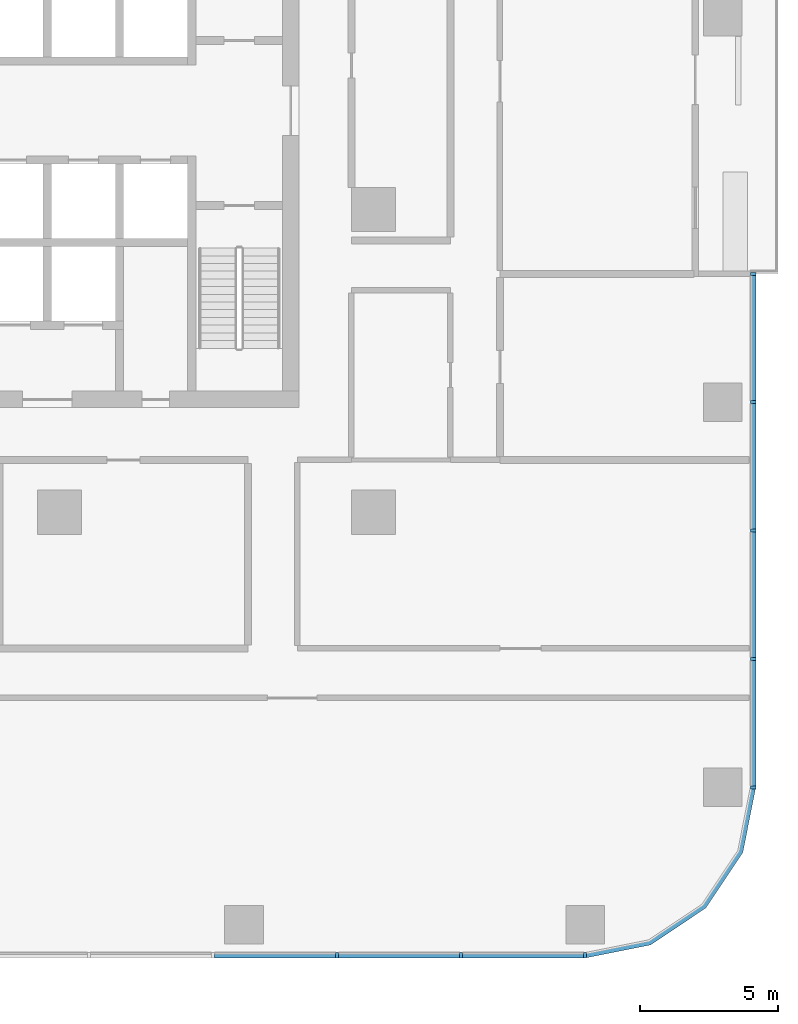
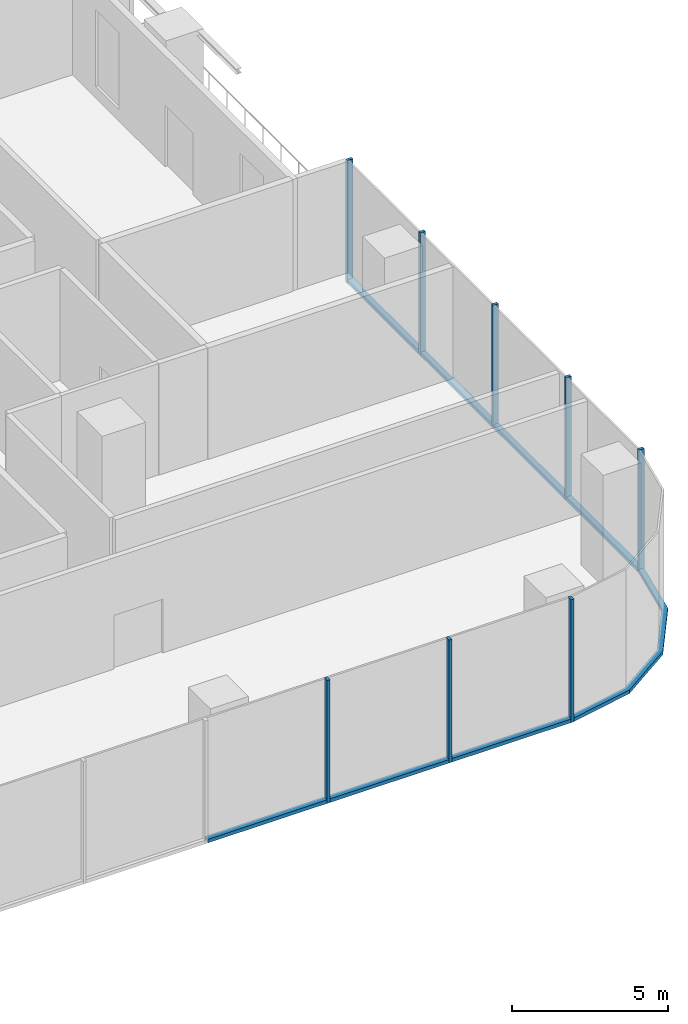
# One storey, part 3 of 15: 16 members, 3 elements without a shape of their own.
"""IFC4 building model written with IfcOpenShell, lengths in metres."""

from ifc_helpers import new_model, si_unit, direction, frame, origin, origin_2d, place, context, subcontext, project, spatial, polyline, rectangle, outline, extrude, material, material_profile, profile_set, type_object, element, aggregate, save


model = new_model("IFC4")

# Units and contexts
model_context = context("Model", 3, precision=1e-05, world=origin(), true_north=direction((0.0, 1.0)))
body_context = subcontext(model_context, "Body", "Model", "MODEL_VIEW")
ifc_project = project(units=[si_unit("LENGTHUNIT", "METRE"), si_unit("AREAUNIT", "SQUARE_METRE"), si_unit("VOLUMEUNIT", "CUBIC_METRE"), si_unit("PLANEANGLEUNIT", "RADIAN"), si_unit("MASSUNIT", "GRAM", prefix="KILO")], contexts=[model_context])

# Site, building, storey
site_placement = place(None, origin())
site = spatial("IfcSite", under=ifc_project, at=site_placement, CompositionType="ELEMENT")
building_placement = place(site_placement, origin())
building = spatial("IfcBuilding", under=site, at=building_placement, Name="Mopane Tessera Tower", CompositionType="ELEMENT")
storey_placement = place(building_placement, frame((0.0, 0.0, 64.60009765625)))
storey = spatial("IfcBuildingStorey", under=building, at=storey_placement, Name="L12", CompositionType="ELEMENT", Elevation=64.60009765625)

# Curtain wall, members
ifc_material_1 = material(Name="Aluminium frame", Category="aluminium")
curtain_wall_type = type_object("IfcCurtainWallType", Name="Lower tower unitised wall", PredefinedType="NOTDEFINED", material=ifc_material_1)
curtain_wall_1_placement = place(storey_placement, origin())
curtain_wall_1 = element("IfcCurtainWall", 1, at=curtain_wall_1_placement, inside=storey, type_object=curtain_wall_type, Name="e:cw:L12:S:5", PredefinedType="NOTDEFINED")
ifc_material_2 = material(Name="Aluminium frame", Category="aluminium")
ifc_material_profile_1 = material_profile(ifc_material_2, rectangle(XDim=0.110107421875, YDim=0.199951171875, at=origin_2d()))
ifc_profile_set_1 = profile_set([ifc_material_profile_1], Name="Aluminium frame")
member_type_1 = type_object("IfcMemberType", Name="Aluminium mullion 110 x 200", PredefinedType="MULLION", material=ifc_profile_set_1)
member_1_placement = place(storey_placement, frame((15.78173828125, -27.10009765625, -0.4501953125), z_axis=(0.0, 0.0, 1.0), x_axis=(1.0, 0.0, 0.0)))
member_1 = element("IfcMember", 2, at=member_1_placement, type_object=member_type_1, Name="e:cw:L12:S:5:mu9", PredefinedType="MULLION", context=body_context, shape_type="SweptSolid", body=[
    extrude(rectangle(XDim=0.110107421875, YDim=0.199951171875, at=origin_2d()), origin(), (0.0, 0.0, 1.0), 4.800048828125),
])
member_2_placement = place(storey_placement, frame((20.291015625, -27.10009765625, -0.4501953125), z_axis=(0.0, 0.0, 1.0), x_axis=(1.0, 0.0, 0.0)))
member_2 = element("IfcMember", 3, at=member_2_placement, type_object=member_type_1, Name="e:cw:L12:S:5:mu10", PredefinedType="MULLION", context=body_context, shape_type="SweptSolid", body=[
    extrude(rectangle(XDim=0.110107421875, YDim=0.199951171875, at=origin_2d()), origin(), (0.0, 0.0, 1.0), 4.800048828125),
])
member_3_placement = place(storey_placement, frame((24.800048828125, -27.10009765625, -0.4501953125), z_axis=(0.0, 0.0, 1.0), x_axis=(1.0, 0.0, 0.0)))
member_3 = element("IfcMember", 4, at=member_3_placement, type_object=member_type_1, Name="e:cw:L12:S:5:mu11", PredefinedType="MULLION", context=body_context, shape_type="SweptSolid", body=[
    extrude(rectangle(XDim=0.110107421875, YDim=0.199951171875, at=origin_2d()), origin(), (0.0, 0.0, 1.0), 4.800048828125),
])

curtain_wall_2_placement = place(storey_placement, origin())
curtain_wall_2 = element("IfcCurtainWall", 5, at=curtain_wall_2_placement, inside=storey, type_object=curtain_wall_type, Name="e:cw:L12:E:0", PredefinedType="NOTDEFINED")
member_4_placement = place(storey_placement, frame((30.89990234375, -21.0, -0.4501953125), z_axis=(0.0, 0.0, 1.0), x_axis=(0.0, 1.0, 0.0)))
member_4 = element("IfcMember", 6, at=member_4_placement, type_object=member_type_1, Name="e:cw:L12:E:0:mu0", PredefinedType="MULLION", context=body_context, shape_type="SweptSolid", body=[
    extrude(rectangle(XDim=0.110107421875, YDim=0.199951171875, at=origin_2d()), origin(), (0.0, 0.0, 1.0), 4.800048828125),
])
member_5_placement = place(storey_placement, frame((30.89990234375, -16.333251953125, -0.4501953125), z_axis=(0.0, 0.0, 1.0), x_axis=(0.0, 1.0, 0.0)))
member_5 = element("IfcMember", 7, at=member_5_placement, type_object=member_type_1, Name="e:cw:L12:E:0:mu1", PredefinedType="MULLION", context=body_context, shape_type="SweptSolid", body=[
    extrude(rectangle(XDim=0.110107421875, YDim=0.199951171875, at=origin_2d()), origin(), (0.0, 0.0, 1.0), 4.800048828125),
])
member_6_placement = place(storey_placement, frame((30.89990234375, -11.666748046875, -0.4501953125), z_axis=(0.0, 0.0, 1.0), x_axis=(0.0, 1.0, 0.0)))
member_6 = element("IfcMember", 8, at=member_6_placement, type_object=member_type_1, Name="e:cw:L12:E:0:mu2", PredefinedType="MULLION", context=body_context, shape_type="SweptSolid", body=[
    extrude(rectangle(XDim=0.110107421875, YDim=0.199951171875, at=origin_2d()), origin(), (0.0, 0.0, 1.0), 4.800048828125),
])
member_7_placement = place(storey_placement, frame((30.89990234375, -7.0, -0.4501953125), z_axis=(0.0, 0.0, 1.0), x_axis=(0.0, 1.0, 0.0)))
member_7 = element("IfcMember", 9, at=member_7_placement, type_object=member_type_1, Name="e:cw:L12:E:0:mu3", PredefinedType="MULLION", context=body_context, shape_type="SweptSolid", body=[
    extrude(rectangle(XDim=0.110107421875, YDim=0.199951171875, at=origin_2d()), origin(), (0.0, 0.0, 1.0), 4.800048828125),
])
member_8_placement = place(storey_placement, frame((30.89990234375, -2.333251953125, -0.4501953125), z_axis=(0.0, 0.0, 1.0), x_axis=(0.0, 1.0, 0.0)))
member_8 = element("IfcMember", 10, at=member_8_placement, type_object=member_type_1, Name="e:cw:L12:E:0:mu4", PredefinedType="MULLION", context=body_context, shape_type="SweptSolid", body=[
    extrude(rectangle(XDim=0.110107421875, YDim=0.199951171875, at=origin_2d()), origin(), (0.0, 0.0, 1.0), 4.800048828125),
])

# Member
ifc_material_3 = material(Name="Aluminium frame", Category="aluminium")
ifc_material_profile_2 = material_profile(ifc_material_3, rectangle(XDim=0.199951171875, YDim=0.139892578125, at=origin_2d()))
ifc_profile_set_2 = profile_set([ifc_material_profile_2], Name="Aluminium frame")
member_type_2 = type_object("IfcMemberType", Name="Aluminium transom 200 x 140", PredefinedType="USERDEFINED", material=ifc_profile_set_2)
member_9_placement = place(storey_placement, frame((11.32763671875, -27.10009765625, -0.380126953125), z_axis=(1.0, 0.0, 0.0), x_axis=(0.0, 1.0, 0.0)))
member_9 = element("IfcMember", 11, at=member_9_placement, type_object=member_type_2, Name="e:cw:L12:S:5:tr8", ObjectType="TRANSOM", PredefinedType="USERDEFINED", context=body_context, shape_type="SweptSolid", body=[
    extrude(rectangle(XDim=0.199951171875, YDim=0.139892578125, at=origin_2d()), origin(), (0.0, 0.0, 1.0), 4.399169921875),
])

member_10_placement = place(storey_placement, frame((15.8369140625, -27.10009765625, -0.380126953125), z_axis=(1.0, 0.0, 0.0), x_axis=(0.0, 1.0, 0.0)))
member_10 = element("IfcMember", 12, at=member_10_placement, type_object=member_type_2, Name="e:cw:L12:S:5:tr9", ObjectType="TRANSOM", PredefinedType="USERDEFINED", context=body_context, shape_type="SweptSolid", body=[
    extrude(rectangle(XDim=0.199951171875, YDim=0.139892578125, at=origin_2d()), origin(), (0.0, 0.0, 1.0), 4.39892578125),
])

member_11_placement = place(storey_placement, frame((20.345947265625, -27.10009765625, -0.380126953125), z_axis=(1.0, 0.0, 0.0), x_axis=(0.0, 1.0, 0.0)))
member_11 = element("IfcMember", 13, at=member_11_placement, type_object=member_type_2, Name="e:cw:L12:S:5:tr10", ObjectType="TRANSOM", PredefinedType="USERDEFINED", context=body_context, shape_type="SweptSolid", body=[
    extrude(rectangle(XDim=0.199951171875, YDim=0.139892578125, at=origin_2d()), origin(), (0.0, 0.0, 1.0), 4.399169921875),
])

aggregate(curtain_wall_1, [member_1, member_2, member_3, member_9, member_10, member_11])

# Curtain wall, member
curtain_wall_3_placement = place(storey_placement, origin())
curtain_wall_3 = element("IfcCurtainWall", 14, at=curtain_wall_3_placement, inside=storey, type_object=curtain_wall_type, Name="e:cw:L12:CS", PredefinedType="NOTDEFINED")
member_12_placement = place(storey_placement, frame((0.0, 0.0, -0.4501953125)))
member_12 = element("IfcMember", 15, at=member_12_placement, type_object=member_type_2, Name="e:cw:L12:CS:tr", ObjectType="TRANSOM", PredefinedType="USERDEFINED", context=body_context, shape_type="SweptSolid", body=[
    extrude(outline(polyline([(24.800048828125, -27.0), (27.09619140625, -26.543212890625), (29.042724609375, -25.24267578125), (30.34326171875, -23.296142578125), (30.800048828125, -21.0), (31.0, -21.0), (30.528076171875, -23.37255859375), (29.18408203125, -25.384033203125), (27.172607421875, -26.72802734375), (24.800048828125, -27.199951171875), (24.800048828125, -27.0)])), origin(), (0.0, 0.0, 1.0), 0.14013671875),
])
aggregate(curtain_wall_3, [member_12])

# Member
member_13_placement = place(storey_placement, frame((30.89990234375, -20.945068359375, -0.380126953125), z_axis=(0.0, 1.0, 0.0), x_axis=(-1.0, 0.0, 0.0)))
member_13 = element("IfcMember", 16, at=member_13_placement, type_object=member_type_2, Name="e:cw:L12:E:0:tr0", ObjectType="TRANSOM", PredefinedType="USERDEFINED", context=body_context, shape_type="SweptSolid", body=[
    extrude(rectangle(XDim=0.199951171875, YDim=0.139892578125, at=origin_2d()), origin(), (0.0, 0.0, 1.0), 4.556640625),
])

member_14_placement = place(storey_placement, frame((30.89990234375, -16.2783203125, -0.380126953125), z_axis=(0.0, 1.0, 0.0), x_axis=(-1.0, 0.0, 0.0)))
member_14 = element("IfcMember", 17, at=member_14_placement, type_object=member_type_2, Name="e:cw:L12:E:0:tr1", ObjectType="TRANSOM", PredefinedType="USERDEFINED", context=body_context, shape_type="SweptSolid", body=[
    extrude(rectangle(XDim=0.199951171875, YDim=0.139892578125, at=origin_2d()), origin(), (0.0, 0.0, 1.0), 4.556640625),
])

member_15_placement = place(storey_placement, frame((30.89990234375, -11.611572265625, -0.380126953125), z_axis=(0.0, 1.0, 0.0), x_axis=(-1.0, 0.0, 0.0)))
member_15 = element("IfcMember", 18, at=member_15_placement, type_object=member_type_2, Name="e:cw:L12:E:0:tr2", ObjectType="TRANSOM", PredefinedType="USERDEFINED", context=body_context, shape_type="SweptSolid", body=[
    extrude(rectangle(XDim=0.199951171875, YDim=0.139892578125, at=origin_2d()), origin(), (0.0, 0.0, 1.0), 4.556640625),
])

member_16_placement = place(storey_placement, frame((30.89990234375, -6.945068359375, -0.380126953125), z_axis=(0.0, 1.0, 0.0), x_axis=(-1.0, 0.0, 0.0)))
member_16 = element("IfcMember", 19, at=member_16_placement, type_object=member_type_2, Name="e:cw:L12:E:0:tr3", ObjectType="TRANSOM", PredefinedType="USERDEFINED", context=body_context, shape_type="SweptSolid", body=[
    extrude(rectangle(XDim=0.199951171875, YDim=0.139892578125, at=origin_2d()), origin(), (0.0, 0.0, 1.0), 4.556640625),
])

aggregate(curtain_wall_2, [member_4, member_5, member_6, member_7, member_8, member_13, member_14, member_15, member_16])

save(model, "model.ifc")
